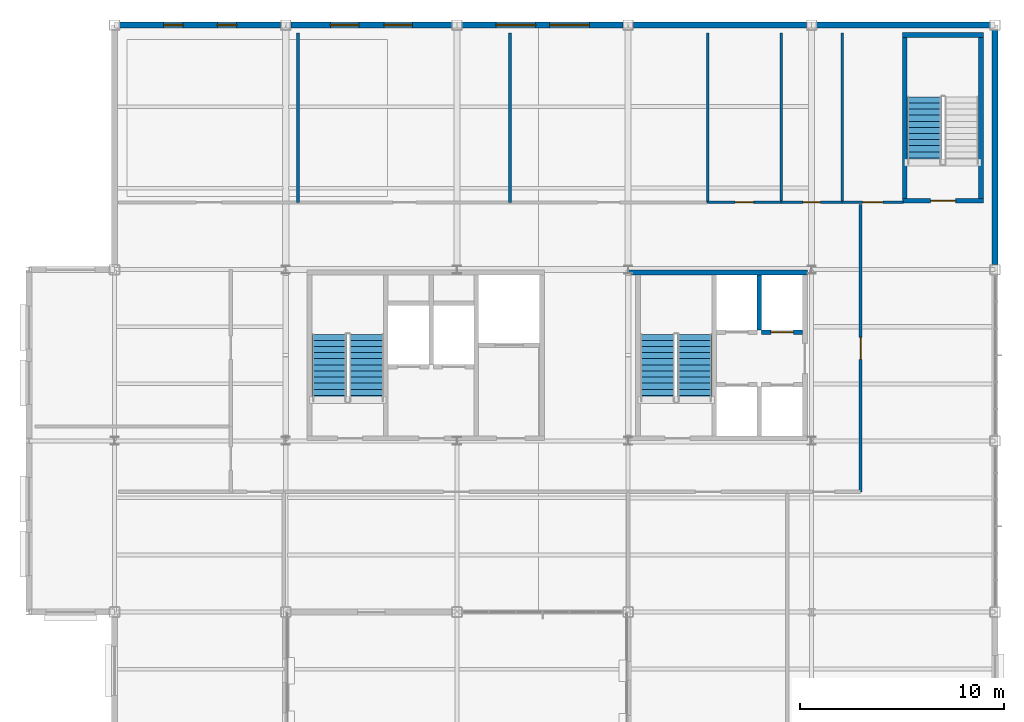
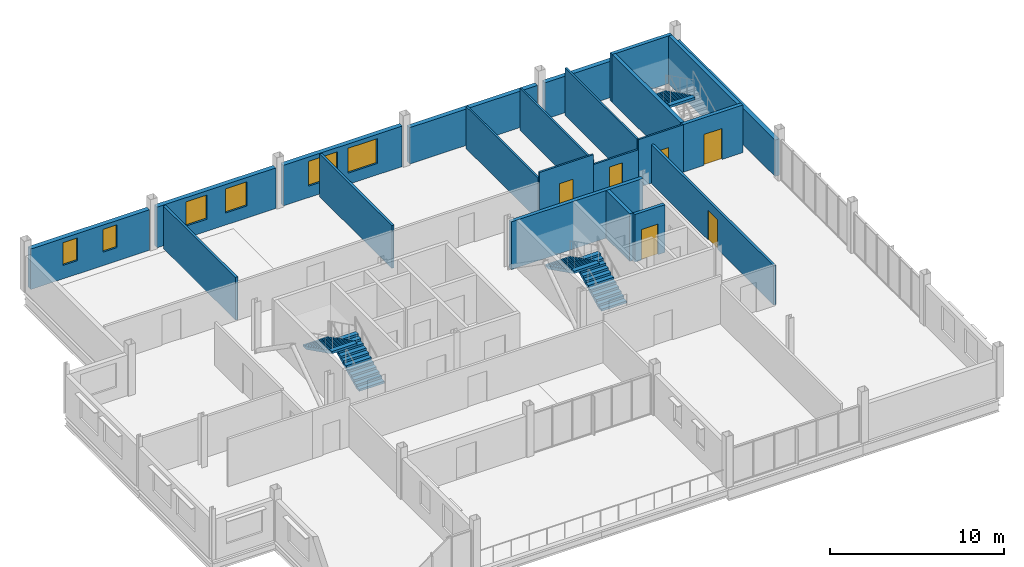
# One storey, part 15 of 20: 22 walls, 6 doors, 6 windows, 5 stair flights, 12 openings, 3 elements without a shape of their own.
"""IFC4 building model written with IfcOpenShell, lengths in metres."""

import ifcopenshell
import ifcopenshell.guid

model = None  # the IFC model being written
_history = None  # IfcOwnerHistory: only IFC2X3 demands one
_inside = {}  # id of a spatial element -> (the spatial element, [elements in it])
_under = {}  # id of a project, library or spatial element -> (it, [spatial elements below it])
_declared = {}  # id of a project -> (the project, [libraries it declares])
_typed = {}  # id of a type object -> (the type object, [elements of that type])
_made_of = {}  # id of a material, layer set ... -> (it, [elements and type objects made of it])


def new_model(schema):
    """Start an empty IFC model of exactly this schema.

    Asked for "IFC4X3", IfcOpenShell would pick the latest addendum, in which some entities
    have other attributes; the version numbers below select the first issue.
    IFC2X3 requires an IfcOwnerHistory on every rooted entity: one is made here for all.
    """
    global model, _history
    if schema == "IFC4X3":
        model = ifcopenshell.file(schema_version=(4, 3, 0, 0))
    else:
        model = ifcopenshell.file(schema=schema)
    _inside.clear()
    _under.clear()
    _declared.clear()
    _typed.clear()
    _made_of.clear()
    _history = None
    if model.schema == "IFC2X3":
        org = make("IfcOrganization", Name="unknown")
        user = make(
            "IfcPersonAndOrganization",
            ThePerson=make("IfcPerson", FamilyName="unknown"),
            TheOrganization=org,
        )
        app = make(
            "IfcApplication",
            ApplicationDeveloper=org,
            Version="unknown",
            ApplicationFullName="unknown",
            ApplicationIdentifier="unknown",
        )
        _history = make(
            "IfcOwnerHistory",
            OwningUser=user,
            OwningApplication=app,
            ChangeAction="ADDED",
            CreationDate=0,
        )
    return model


def make(cls, **values):
    """One entity of the class cls with the attributes given. An attribute that is None is left unset."""
    return model.create_entity(
        cls, **{name: value for name, value in values.items() if value is not None}
    )


def rooted(cls, **values):
    """An entity with a GlobalId (a new one), such as an element, a storey or a relation."""
    return make(cls, GlobalId=ifcopenshell.guid.new(), OwnerHistory=_history, **values)


def si_unit(unit_type, name, prefix=None):
    """IfcSIUnit, for example si_unit("LENGTHUNIT", "METRE", prefix="MILLI")."""
    return make("IfcSIUnit", UnitType=unit_type, Prefix=prefix, Name=name)


def assignment(units):
    """IfcUnitAssignment: the units of a project."""
    return None if units is None else make("IfcUnitAssignment", Units=units)


def point(xyz):
    """IfcCartesianPoint."""
    return None if xyz is None else make("IfcCartesianPoint", Coordinates=xyz)


def direction(xyz):
    """IfcDirection."""
    return None if xyz is None else make("IfcDirection", DirectionRatios=xyz)


def frame(location, z_axis=None, x_axis=None):
    """IfcAxis2Placement3D, a coordinate frame: its origin and axes. An axis left out is left unset."""
    return make(
        "IfcAxis2Placement3D",
        Location=point(location),
        Axis=direction(z_axis),
        RefDirection=direction(x_axis),
    )


def frame_2d(location, x_axis=None):
    """IfcAxis2Placement2D, a coordinate frame in the plane: its origin and x axis."""
    return make(
        "IfcAxis2Placement2D", Location=point(location), RefDirection=direction(x_axis)
    )


def origin():
    """The frame at (0, 0, 0) with its axes left unset."""
    return frame((0.0, 0.0, 0.0))


def place(relative_to, where):
    """IfcLocalPlacement: puts the frame where relative to a parent placement (None: the world)."""
    return make(
        "IfcLocalPlacement", PlacementRelTo=relative_to, RelativePlacement=where
    )


def context(
    kind, dimensions, precision=None, world=None, true_north=None, identifier=None
):
    """IfcGeometricRepresentationContext, for example the 3D "Model" context."""
    return make(
        "IfcGeometricRepresentationContext",
        ContextIdentifier=identifier,
        ContextType=kind,
        CoordinateSpaceDimension=dimensions,
        Precision=precision,
        WorldCoordinateSystem=world,
        TrueNorth=true_north,
    )


def subcontext(parent, identifier, kind, view, scale=None):
    """IfcGeometricRepresentationSubContext, for example "Body" below "Model"."""
    return make(
        "IfcGeometricRepresentationSubContext",
        ContextIdentifier=identifier,
        ContextType=kind,
        ParentContext=parent,
        TargetScale=scale,
        TargetView=view,
    )


def project(units=None, contexts=None):
    """IfcProject with its units and contexts."""
    return rooted(
        "IfcProject",
        Name="project",
        RepresentationContexts=contexts,
        UnitsInContext=assignment(units),
    )


def spatial(cls, under=None, at=None, **own):
    """A site, building, storey or space (cls), placed at a placement, below another one or the project."""
    s = rooted(cls, ObjectPlacement=at, **own)
    if under is not None:
        _under.setdefault(under.id(), (under, []))[1].append(s)
    return s


def polyline(points):
    """IfcPolyline through the points."""
    return make("IfcPolyline", Points=[point(p) for p in points])


def profile(cls, at=None, kind="AREA", **sizes):
    """A parametric profile (cls). Its sizes go by their IFC names, for example OverallWidth=200.0."""
    return make(cls, ProfileType=kind, Position=at, **sizes)


def rectangle(**sizes):
    """IfcRectangleProfileDef."""
    return profile("IfcRectangleProfileDef", **sizes)


def outline(outer, holes=None, kind="AREA"):
    """IfcArbitraryClosedProfileDef: a profile drawn as a closed curve; with holes, ...WithVoids."""
    if holes is None:
        return make("IfcArbitraryClosedProfileDef", ProfileType=kind, OuterCurve=outer)
    return make(
        "IfcArbitraryProfileDefWithVoids",
        ProfileType=kind,
        OuterCurve=outer,
        InnerCurves=holes,
    )


def extrude(swept, where, along, depth):
    """IfcExtrudedAreaSolid: the profile swept, set in the frame where, extruded along a direction by depth."""
    return make(
        "IfcExtrudedAreaSolid",
        SweptArea=swept,
        Position=where,
        ExtrudedDirection=direction(along),
        Depth=depth,
    )


def shape(context_of_items, identifier, shape_type, items):
    """IfcShapeRepresentation: the items that make up one representation, for example the "Body"."""
    return make(
        "IfcShapeRepresentation",
        ContextOfItems=context_of_items,
        RepresentationIdentifier=identifier,
        RepresentationType=shape_type,
        Items=items,
    )


def material(Name=None, Category=None):
    """IfcMaterial."""
    return make("IfcMaterial", Name=Name, Category=Category)


def layer(
    of_material, thickness, ventilated=None, Name=None, Category=None, Priority=None
):
    """IfcMaterialLayer: one layer of a wall or slab, of a material (None: an air gap)."""
    return make(
        "IfcMaterialLayer",
        Material=of_material,
        LayerThickness=thickness,
        IsVentilated=ventilated,
        Name=Name,
        Category=Category,
        Priority=Priority,
    )


def layer_set(layers, Name=None):
    """IfcMaterialLayerSet."""
    return make("IfcMaterialLayerSet", MaterialLayers=layers, LayerSetName=Name)


def made_of(thing, what):
    """Note that an element or type object is made of a material, layer set ...; save() writes the relation."""
    if what is not None:
        _made_of.setdefault(what.id(), (what, []))[1].append(thing)
    return thing


def type_object(cls, material=None, **own):
    """A type object (cls), such as IfcWallType, which elements share."""
    return made_of(rooted(cls, **own), material)


def element(
    cls,
    number,
    at=None,
    inside=None,
    cuts=None,
    type_object=None,
    material=None,
    context=None,
    identifier="Body",
    shape_type=None,
    held_by="IfcProductDefinitionShape",
    body=None,
    shapes=None,
    **own,
):
    """One element of the class cls, such as IfcWall. Its Tag is "e" and its number.

    at: its placement. inside: the storey or other place that contains it. cuts: it is an
    opening in that element (IfcRelVoidsElement). A single representation is given by context,
    identifier, shape_type and body (its items); several are given by shapes. held_by: the class
    of the entity that holds the representations. save() writes the other relations.
    """
    e = rooted(cls, Tag="e%d" % number, ObjectPlacement=at, **own)
    if body is not None:
        shapes = [shape(context, identifier, shape_type, body)]
    if shapes is not None:
        e.Representation = make(held_by, Representations=shapes)
    if inside is not None:
        _inside.setdefault(inside.id(), (inside, []))[1].append(e)
    if cuts is not None:
        rooted(
            "IfcRelVoidsElement", RelatingBuildingElement=cuts, RelatedOpeningElement=e
        )
    if type_object is not None:
        _typed.setdefault(type_object.id(), (type_object, []))[1].append(e)
    return made_of(e, material)


def fill(opening, filler):
    """IfcRelFillsElement: the door or window that sits in an opening."""
    return rooted(
        "IfcRelFillsElement",
        RelatingOpeningElement=opening,
        RelatedBuildingElement=filler,
    )


def aggregate(whole, parts):
    """IfcRelAggregates: a whole, such as a stair, and the parts it consists of."""
    return rooted("IfcRelAggregates", RelatingObject=whole, RelatedObjects=parts)


def save(model, path):
    """Write the relations noted so far, then the file.

    IfcRelAggregates (storeys below a building ...), IfcRelContainedInSpatialStructure (elements
    in a storey), IfcRelDefinesByType, IfcRelAssociatesMaterial and IfcRelDeclares: one each for
    every whole, place, type object, material and project.
    """
    for whole, parts in _under.values():
        aggregate(whole, parts)
    for where, things in _inside.values():
        rooted(
            "IfcRelContainedInSpatialStructure",
            RelatedElements=things,
            RelatingStructure=where,
        )
    for kind, things in _typed.values():
        rooted("IfcRelDefinesByType", RelatedObjects=things, RelatingType=kind)
    for what, things in _made_of.values():
        rooted("IfcRelAssociatesMaterial", RelatedObjects=things, RelatingMaterial=what)
    for by, libraries in _declared.values():
        rooted("IfcRelDeclares", RelatingContext=by, RelatedDefinitions=libraries)
    model.write(path)


model = new_model("IFC4")

# Units and contexts
model_context = context("Model", 3, precision=1e-05, world=origin(), true_north=direction((0.0, 1.0)))
body_context = subcontext(model_context, "Body", "Model", "MODEL_VIEW")
ifc_project = project(units=[si_unit("LENGTHUNIT", "METRE"), si_unit("AREAUNIT", "SQUARE_METRE"), si_unit("VOLUMEUNIT", "CUBIC_METRE"), si_unit("PLANEANGLEUNIT", "RADIAN"), si_unit("MASSUNIT", "GRAM", prefix="KILO")], contexts=[model_context])

# Site, building, storey
site_placement = place(None, origin())
site = spatial("IfcSite", under=ifc_project, at=site_placement, CompositionType="ELEMENT")
building_placement = place(site_placement, origin())
building = spatial("IfcBuilding", under=site, at=building_placement, Name="Yukiwa Park Conservatory and Herbarium", CompositionType="ELEMENT")
storey_placement = place(building_placement, frame((0.0, 0.0, 28.199951171875)))
storey = spatial("IfcBuildingStorey", under=building, at=storey_placement, Name="L07", CompositionType="ELEMENT", Elevation=28.199951171875)

# Wall
ifc_material_1 = material(Name="Concrete C40", Category="concrete")
ifc_layer_1 = layer(ifc_material_1, 0.219970703125)
ifc_layer_set_1 = layer_set([ifc_layer_1], Name="Concrete C40")
wall_type_1 = type_object("IfcWallType", Name="WL-CORE-RC220", PredefinedType="SHEAR", material=ifc_layer_set_1)
wall_1_placement = place(storey_placement, frame((156.43994140625, 100.25, 0.0), z_axis=(0.0, 0.0, 1.0), x_axis=(0.0, 1.0, 0.0)))
element("IfcWall", 1, at=wall_1_placement, inside=storey, type_object=wall_type_1, Name="L07 core shear wall 487", PredefinedType="SHEAR", context=body_context, shape_type="SweptSolid", body=[
    extrude(rectangle(XDim=2.699951171875, YDim=0.219970703125, at=frame_2d((1.35009765625, 0.0))), origin(), (0.0, 0.0, 1.0), 3.35205078125),
])

# Wall, opening, door
wall_2_placement = place(storey_placement, frame((156.550048828125, 100.139892578125, 0.0), z_axis=(0.0, 0.0, 1.0), x_axis=(1.0, 0.0, 0.0)))
wall_2 = element("IfcWall", 2, at=wall_2_placement, inside=storey, type_object=wall_type_1, Name="L07 core shear wall 489", PredefinedType="SHEAR", context=body_context, shape_type="SweptSolid", body=[
    extrude(rectangle(XDim=2.0, YDim=0.219970703125, at=frame_2d((1.0, 0.0))), origin(), (0.0, 0.0, 1.0), 3.35205078125),
])
opening_1_placement = place(wall_2_placement, frame((0.449951171875, 0.0, 0.0)))
opening_1 = element("IfcOpeningElement", 3, at=opening_1_placement, cuts=wall_2, Name="Opening LD-01", PredefinedType="OPENING", context=body_context, shape_type="SweptSolid", body=[
    extrude(rectangle(XDim=1.10009765625, YDim=2.14990234375, at=frame_2d((0.550048828125, 1.074951171875))), frame((0.0, 0.1201171875, 0.0), z_axis=(0.0, -1.0, 0.0), x_axis=(1.0, 0.0, 0.0)), (0.0, 0.0, 1.0), 0.239990234375),
])
ifc_material_2 = material(Name="Steel Q235B", Category="steel")
door_type_1 = type_object("IfcDoorType", Name="DR-LIFT-LD1100", OperationType="SLIDING_TO_LEFT", PredefinedType="DOOR", material=ifc_material_2)
door_1_placement = place(opening_1_placement, origin())
door_1 = element("IfcDoor", 4, at=door_1_placement, inside=storey, type_object=door_type_1, Name="L07 Passenger Lift LP2 sliding landing door", OperationType="SLIDING_TO_LEFT", OverallHeight=2.14990234375, OverallWidth=1.10009765625, PredefinedType="DOOR", context=body_context, shape_type="SweptSolid", body=[
    extrude(rectangle(XDim=1.10009765625, YDim=2.14990234375, at=frame_2d((0.550048828125, 1.074951171875))), frame((0.0, 0.02490234375, 0.0), z_axis=(0.0, -1.0, 0.0), x_axis=(1.0, 0.0, 0.0)), (0.0, 0.0, 1.0), 0.050048828125),
])
fill(opening_1, door_1)

# Wall
ifc_material_3 = material(Name="Concrete C50", Category="concrete")
ifc_layer_2 = layer(ifc_material_3, 0.239990234375)
ifc_layer_set_2 = layer_set([ifc_layer_2], Name="Concrete C50")
wall_type_2 = type_object("IfcWallType", Name="WL-CORE-RC240", PredefinedType="SHEAR", material=ifc_layer_set_2)
wall_3_placement = place(storey_placement, frame((150.02001953125, 103.070068359375, 0.0), z_axis=(0.0, 0.0, 1.0), x_axis=(1.0, 0.0, 0.0)))
element("IfcWall", 5, at=wall_3_placement, inside=storey, type_object=wall_type_2, Name="L07 core shear wall 483", PredefinedType="SHEAR", context=body_context, shape_type="SweptSolid", body=[
    extrude(rectangle(XDim=8.77001953125, YDim=0.239990234375, at=frame_2d((4.385009765625, 0.0))), origin(), (0.0, 0.0, 1.0), 3.35205078125),
])

# Wall, opening, door
wall_4_placement = place(storey_placement, frame((163.449951171875, 106.580078125, 0.0), z_axis=(0.0, 0.0, 1.0), x_axis=(1.0, 0.0, 0.0)))
wall_4 = element("IfcWall", 6, at=wall_4_placement, inside=storey, type_object=wall_type_2, Name="L07 core shear wall 493", PredefinedType="SHEAR", context=body_context, shape_type="SweptSolid", body=[
    extrude(rectangle(XDim=3.989990234375, YDim=0.239990234375, at=frame_2d((1.9951171875, 0.0))), origin(), (0.0, 0.0, 1.0), 3.35205078125),
])
opening_2_placement = place(wall_4_placement, frame((1.39501953125, 0.0, 0.0)))
opening_2 = element("IfcOpeningElement", 7, at=opening_2_placement, cuts=wall_4, Name="Opening SD-01", PredefinedType="OPENING", context=body_context, shape_type="SweptSolid", body=[
    extrude(rectangle(XDim=1.219970703125, YDim=2.179931640625, at=frame_2d((0.60986328125, 1.08984375))), frame((0.0, 0.1298828125, 0.0), z_axis=(0.0, -1.0, 0.0), x_axis=(1.0, 0.0, 0.0)), (0.0, 0.0, 1.0), 0.260009765625),
])
ifc_material_4 = material(Name="Steel Q235B", Category="steel")
door_type_2 = type_object("IfcDoorType", Name="DR-STAIR-FD90-1200", OperationType="SINGLE_SWING_LEFT", PredefinedType="DOOR", material=ifc_material_4)
door_2_placement = place(opening_2_placement, origin())
door_2 = element("IfcDoor", 8, at=door_2_placement, inside=storey, type_object=door_type_2, Name="L07 Stairwell ST-T3 fire door", OperationType="SINGLE_SWING_LEFT", OverallHeight=2.179931640625, OverallWidth=1.219970703125, PredefinedType="DOOR", context=body_context, shape_type="SweptSolid", body=[
    extrude(rectangle(XDim=1.219970703125, YDim=2.179931640625, at=frame_2d((0.60986328125, 1.08984375))), frame((0.0, 0.02490234375, 0.0), z_axis=(0.0, -1.0, 0.0), x_axis=(1.0, 0.0, 0.0)), (0.0, 0.0, 1.0), 0.050048828125),
])
fill(opening_2, door_2)

# Walls
wall_5_placement = place(storey_placement, frame((163.449951171875, 114.719970703125, 0.0), z_axis=(0.0, 0.0, 1.0), x_axis=(1.0, 0.0, 0.0)))
element("IfcWall", 9, at=wall_5_placement, inside=storey, type_object=wall_type_2, Name="L07 core shear wall 494", PredefinedType="SHEAR", context=body_context, shape_type="SweptSolid", body=[
    extrude(rectangle(XDim=3.989990234375, YDim=0.239990234375, at=frame_2d((1.9951171875, 0.0))), origin(), (0.0, 0.0, 1.0), 3.35205078125),
])
for number, where, z_axis, x_axis, name in (
    (10, (163.570068359375, 106.699951171875, 0.0), (0.0, 0.0, 1.0), (0.0, 1.0, 0.0), "L07 core shear wall 495"),
    (11, (167.320068359375, 106.699951171875, 0.0), (0.0, 0.0, 1.0), (0.0, 1.0, 0.0), "L07 core shear wall 496"),
):
    element("IfcWall", number, at=place(storey_placement, frame(where, z_axis=z_axis, x_axis=x_axis)), inside=storey, type_object=wall_type_2, Name=name, PredefinedType="SHEAR", context=body_context, shape_type="SweptSolid", body=[
        extrude(rectangle(XDim=7.900146484375, YDim=0.239990234375, at=frame_2d((3.9501953125, 0.0))), origin(), (0.0, 0.0, 1.0), 3.35205078125),
    ])
ifc_material_5 = material(Name="Pale Granite Cladding", Category="masonry")
ifc_layer_3 = layer(ifc_material_5, 0.300048828125)
ifc_layer_set_3 = layer_set([ifc_layer_3], Name="Pale Granite Cladding")
wall_type_3 = type_object("IfcWallType", Name="WL-EXT-GRAN-300", PredefinedType="SOLIDWALL", material=ifc_layer_set_3)
wall_6_placement = place(storey_placement, frame((168.0, 103.449951171875, 0.0), z_axis=(0.0, 0.0, 1.0), x_axis=(0.0, 1.0, 0.0)))
element("IfcWall", 12, at=wall_6_placement, inside=storey, type_object=wall_type_3, Name="L07 exterior envelope wall 309", PredefinedType="SOLIDWALL", context=body_context, shape_type="SweptSolid", body=[
    extrude(rectangle(XDim=11.5, YDim=0.300048828125, at=frame_2d((5.75, 0.0))), origin(), (0.0, 0.0, 1.0), 2.56005859375),
])
for number, where, z_axis, x_axis, name in (
    (13, (167.75, 115.199951171875, 0.0), (0.0, 0.0, 1.0), (-1.0, 0.0, 0.0), "L07 exterior envelope wall 310"),
    (14, (158.75, 115.199951171875, 0.0), (0.0, 0.0, 1.0), (-1.0, 0.0, 0.0), "L07 exterior envelope wall 311"),
):
    element("IfcWall", number, at=place(storey_placement, frame(where, z_axis=z_axis, x_axis=x_axis)), inside=storey, type_object=wall_type_3, Name=name, PredefinedType="SOLIDWALL", context=body_context, shape_type="SweptSolid", body=[
        extrude(rectangle(XDim=8.5, YDim=0.300048828125, at=frame_2d((4.25, 0.0))), origin(), (0.0, 0.0, 1.0), 2.56005859375),
    ])

# Wall, openings, windows
wall_7_placement = place(storey_placement, frame((149.75, 115.199951171875, 0.0), z_axis=(0.0, 0.0, 1.0), x_axis=(-1.0, 0.0, 0.0)))
wall_7 = element("IfcWall", 15, at=wall_7_placement, inside=storey, type_object=wall_type_3, Name="L07 exterior envelope wall 312", PredefinedType="SOLIDWALL", context=body_context, shape_type="SweptSolid", body=[
    extrude(rectangle(XDim=7.89990234375, YDim=0.300048828125, at=frame_2d((3.949951171875, 0.0))), origin(), (0.0, 0.0, 1.0), 2.85205078125),
])
opening_3_placement = place(wall_7_placement, frame((1.657958984375, 0.0, 0.800048828125)))
opening_3 = element("IfcOpeningElement", 16, at=opening_3_placement, cuts=wall_7, Name="Opening W-25", PredefinedType="OPENING", context=body_context, shape_type="SweptSolid", body=[
    extrude(rectangle(XDim=1.949951171875, YDim=1.75, at=frame_2d((0.97509765625, 0.875))), frame((0.0, 0.16015625, 0.0), z_axis=(0.0, -1.0, 0.0), x_axis=(1.0, 0.0, 0.0)), (0.0, 0.0, 1.0), 0.320068359375),
])
opening_4_placement = place(wall_7_placement, frame((4.2919921875, 0.0, 0.800048828125)))
opening_4 = element("IfcOpeningElement", 17, at=opening_4_placement, cuts=wall_7, Name="Opening W-25", PredefinedType="OPENING", context=body_context, shape_type="SweptSolid", body=[
    extrude(rectangle(XDim=1.949951171875, YDim=1.75, at=frame_2d((0.97509765625, 0.875))), frame((0.0, 0.16015625, 0.0), z_axis=(0.0, -1.0, 0.0), x_axis=(1.0, 0.0, 0.0)), (0.0, 0.0, 1.0), 0.320068359375),
])
ifc_material_6 = material(Name="Triple Low-E Insulated Glass", Category="glass")
window_type_1 = type_object("IfcWindowType", Name="WN-TW-1950X2150", PartitioningType="SINGLE_PANEL", PredefinedType="WINDOW", material=ifc_material_6)
window_1_placement = place(opening_3_placement, origin())
window_1 = element("IfcWindow", 18, at=window_1_placement, inside=storey, type_object=window_type_1, Name="L07 deep-reveal triple-glazed window 242", OverallHeight=1.75, OverallWidth=1.949951171875, PartitioningType="SINGLE_PANEL", PredefinedType="WINDOW", context=body_context, shape_type="SweptSolid", body=[
    extrude(rectangle(XDim=1.949951171875, YDim=1.75, at=frame_2d((0.97509765625, 0.875))), frame((0.0, 0.030029296875, 0.0), z_axis=(0.0, -1.0, 0.0), x_axis=(1.0, 0.0, 0.0)), (0.0, 0.0, 1.0), 0.06005859375),
])
fill(opening_3, window_1)
window_2_placement = place(opening_4_placement, origin())
window_2 = element("IfcWindow", 19, at=window_2_placement, inside=storey, type_object=window_type_1, Name="L07 deep-reveal triple-glazed window 243", OverallHeight=1.75, OverallWidth=1.949951171875, PartitioningType="SINGLE_PANEL", PredefinedType="WINDOW", context=body_context, shape_type="SweptSolid", body=[
    extrude(rectangle(XDim=1.949951171875, YDim=1.75, at=frame_2d((0.97509765625, 0.875))), frame((0.0, 0.030029296875, 0.0), z_axis=(0.0, -1.0, 0.0), x_axis=(1.0, 0.0, 0.0)), (0.0, 0.0, 1.0), 0.06005859375),
])
fill(opening_4, window_2)

wall_8_placement = place(storey_placement, frame((141.35009765625, 115.199951171875, 0.0), z_axis=(0.0, 0.0, 1.0), x_axis=(-1.0, 0.0, 0.0)))
wall_8 = element("IfcWall", 20, at=wall_8_placement, inside=storey, type_object=wall_type_3, Name="L07 exterior envelope wall 313", PredefinedType="SOLIDWALL", context=body_context, shape_type="SweptSolid", body=[
    extrude(rectangle(XDim=7.900146484375, YDim=0.300048828125, at=frame_2d((3.9501953125, 0.0))), origin(), (0.0, 0.0, 1.0), 2.85205078125),
])
opening_5_placement = place(wall_8_placement, frame((1.93310546875, 0.0, 0.85009765625)))
opening_5 = element("IfcOpeningElement", 21, at=opening_5_placement, cuts=wall_8, Name="Opening W-23", PredefinedType="OPENING", context=body_context, shape_type="SweptSolid", body=[
    extrude(rectangle(XDim=1.39990234375, YDim=1.699951171875, at=frame_2d((0.699951171875, 0.85009765625))), frame((0.0, 0.16015625, 0.0), z_axis=(0.0, -1.0, 0.0), x_axis=(1.0, 0.0, 0.0)), (0.0, 0.0, 1.0), 0.320068359375),
])
opening_6_placement = place(wall_8_placement, frame((4.56689453125, 0.0, 0.85009765625)))
opening_6 = element("IfcOpeningElement", 22, at=opening_6_placement, cuts=wall_8, Name="Opening W-23", PredefinedType="OPENING", context=body_context, shape_type="SweptSolid", body=[
    extrude(rectangle(XDim=1.39990234375, YDim=1.699951171875, at=frame_2d((0.699951171875, 0.85009765625))), frame((0.0, 0.16015625, 0.0), z_axis=(0.0, -1.0, 0.0), x_axis=(1.0, 0.0, 0.0)), (0.0, 0.0, 1.0), 0.320068359375),
])
ifc_material_7 = material(Name="Triple Low-E Insulated Glass", Category="glass")
window_type_2 = type_object("IfcWindowType", Name="WN-TW-1400X2050", PartitioningType="SINGLE_PANEL", PredefinedType="WINDOW", material=ifc_material_7)
window_3_placement = place(opening_5_placement, origin())
window_3 = element("IfcWindow", 23, at=window_3_placement, inside=storey, type_object=window_type_2, Name="L07 deep-reveal triple-glazed window 244", OverallHeight=1.699951171875, OverallWidth=1.39990234375, PartitioningType="SINGLE_PANEL", PredefinedType="WINDOW", context=body_context, shape_type="SweptSolid", body=[
    extrude(rectangle(XDim=1.39990234375, YDim=1.699951171875, at=frame_2d((0.699951171875, 0.85009765625))), frame((0.0, 0.030029296875, 0.0), z_axis=(0.0, -1.0, 0.0), x_axis=(1.0, 0.0, 0.0)), (0.0, 0.0, 1.0), 0.06005859375),
])
fill(opening_5, window_3)
window_4_placement = place(opening_6_placement, origin())
window_4 = element("IfcWindow", 24, at=window_4_placement, inside=storey, type_object=window_type_2, Name="L07 deep-reveal triple-glazed window 245", OverallHeight=1.699951171875, OverallWidth=1.39990234375, PartitioningType="SINGLE_PANEL", PredefinedType="WINDOW", context=body_context, shape_type="SweptSolid", body=[
    extrude(rectangle(XDim=1.39990234375, YDim=1.699951171875, at=frame_2d((0.699951171875, 0.85009765625))), frame((0.0, 0.030029296875, 0.0), z_axis=(0.0, -1.0, 0.0), x_axis=(1.0, 0.0, 0.0)), (0.0, 0.0, 1.0), 0.06005859375),
])
fill(opening_6, window_4)

wall_9_placement = place(storey_placement, frame((132.949951171875, 115.199951171875, 0.0), z_axis=(0.0, 0.0, 1.0), x_axis=(-1.0, 0.0, 0.0)))
wall_9 = element("IfcWall", 25, at=wall_9_placement, inside=storey, type_object=wall_type_3, Name="L07 exterior envelope wall 314", PredefinedType="SOLIDWALL", context=body_context, shape_type="SweptSolid", body=[
    extrude(rectangle(XDim=7.89990234375, YDim=0.300048828125, at=frame_2d((3.949951171875, 0.0))), origin(), (0.0, 0.0, 1.0), 2.85205078125),
])
opening_7_placement = place(wall_9_placement, frame((2.157958984375, 0.0, 0.949951171875)))
opening_7 = element("IfcOpeningElement", 26, at=opening_7_placement, cuts=wall_9, Name="Opening W-21", PredefinedType="OPENING", context=body_context, shape_type="SweptSolid", body=[
    extrude(rectangle(XDim=0.949951171875, YDim=1.60009765625, at=frame_2d((0.47509765625, 0.800048828125))), frame((0.0, 0.16015625, 0.0), z_axis=(0.0, -1.0, 0.0), x_axis=(1.0, 0.0, 0.0)), (0.0, 0.0, 1.0), 0.320068359375),
])
opening_8_placement = place(wall_9_placement, frame((4.7919921875, 0.0, 0.949951171875)))
opening_8 = element("IfcOpeningElement", 27, at=opening_8_placement, cuts=wall_9, Name="Opening W-21", PredefinedType="OPENING", context=body_context, shape_type="SweptSolid", body=[
    extrude(rectangle(XDim=0.949951171875, YDim=1.60009765625, at=frame_2d((0.47509765625, 0.800048828125))), frame((0.0, 0.16015625, 0.0), z_axis=(0.0, -1.0, 0.0), x_axis=(1.0, 0.0, 0.0)), (0.0, 0.0, 1.0), 0.320068359375),
])
ifc_material_8 = material(Name="Triple Low-E Insulated Glass", Category="glass")
window_type_3 = type_object("IfcWindowType", Name="WN-TW-0950X1750", PartitioningType="SINGLE_PANEL", PredefinedType="WINDOW", material=ifc_material_8)
window_5_placement = place(opening_7_placement, origin())
window_5 = element("IfcWindow", 28, at=window_5_placement, inside=storey, type_object=window_type_3, Name="L07 deep-reveal triple-glazed window 246", OverallHeight=1.60009765625, OverallWidth=0.949951171875, PartitioningType="SINGLE_PANEL", PredefinedType="WINDOW", context=body_context, shape_type="SweptSolid", body=[
    extrude(rectangle(XDim=0.949951171875, YDim=1.60009765625, at=frame_2d((0.47509765625, 0.800048828125))), frame((0.0, 0.030029296875, 0.0), z_axis=(0.0, -1.0, 0.0), x_axis=(1.0, 0.0, 0.0)), (0.0, 0.0, 1.0), 0.06005859375),
])
fill(opening_7, window_5)
window_6_placement = place(opening_8_placement, origin())
window_6 = element("IfcWindow", 29, at=window_6_placement, inside=storey, type_object=window_type_3, Name="L07 deep-reveal triple-glazed window 247", OverallHeight=1.60009765625, OverallWidth=0.949951171875, PartitioningType="SINGLE_PANEL", PredefinedType="WINDOW", context=body_context, shape_type="SweptSolid", body=[
    extrude(rectangle(XDim=0.949951171875, YDim=1.60009765625, at=frame_2d((0.47509765625, 0.800048828125))), frame((0.0, 0.030029296875, 0.0), z_axis=(0.0, -1.0, 0.0), x_axis=(1.0, 0.0, 0.0)), (0.0, 0.0, 1.0), 0.06005859375),
])
fill(opening_8, window_6)

# Wall, opening, door
ifc_material_9 = material(Name="Gypsum Board Partition", Category="gypsum")
ifc_layer_4 = layer(ifc_material_9, 0.159912109375)
ifc_layer_set_4 = layer_set([ifc_layer_4], Name="Gypsum Board Partition")
wall_type_4 = type_object("IfcWallType", Name="WL-PART-GYP-160", PredefinedType="PARTITIONING", material=ifc_layer_set_4)
wall_10_placement = place(storey_placement, frame((161.39990234375, 92.300048828125, 0.0), z_axis=(0.0, 0.0, 1.0), x_axis=(0.0, 1.0, 0.0)))
wall_10 = element("IfcWall", 30, at=wall_10_placement, inside=storey, type_object=wall_type_4, Name="L07 interior partition wall 503", PredefinedType="PARTITIONING", context=body_context, shape_type="SweptSolid", body=[
    extrude(rectangle(XDim=14.099853515625, YDim=0.159912109375, at=frame_2d((7.0498046875, 0.0))), origin(), (0.0, 0.0, 1.0), 2.751953125),
])
opening_9_placement = place(wall_10_placement, frame((6.5, 0.0, 0.0)))
opening_9 = element("IfcOpeningElement", 31, at=opening_9_placement, cuts=wall_10, Name="Opening ID-11", PredefinedType="OPENING", context=body_context, shape_type="SweptSolid", body=[
    extrude(rectangle(XDim=1.080078125, YDim=2.080078125, at=frame_2d((0.5400390625, 1.0400390625))), frame((0.0, 0.08984375, 0.0), z_axis=(0.0, -1.0, 0.0), x_axis=(1.0, 0.0, 0.0)), (0.0, 0.0, 1.0), 0.179931640625),
])
ifc_material_10 = material(Name="Charred Larch Cladding", Category="wood")
door_type_3 = type_object("IfcDoorType", Name="DR-INT-1100", OperationType="SINGLE_SWING_RIGHT", PredefinedType="DOOR", material=ifc_material_10)
door_3_placement = place(opening_9_placement, origin())
door_3 = element("IfcDoor", 32, at=door_3_placement, inside=storey, type_object=door_type_3, Name="L07 L07 east room door", OperationType="SINGLE_SWING_RIGHT", OverallHeight=2.080078125, OverallWidth=1.080078125, PredefinedType="DOOR", context=body_context, shape_type="SweptSolid", body=[
    extrude(rectangle(XDim=1.080078125, YDim=2.080078125, at=frame_2d((0.5400390625, 1.0400390625))), frame((0.0, 0.02490234375, 0.0), z_axis=(0.0, -1.0, 0.0), x_axis=(1.0, 0.0, 0.0)), (0.0, 0.0, 1.0), 0.050048828125),
])
fill(opening_9, door_3)

# Walls
for number, where, z_axis, x_axis, name in (
    (33, (133.800048828125, 106.5, 0.0), (0.0, 0.0, 1.0), (0.0, 1.0, 0.0), "L07 interior partition wall 518"),
    (34, (144.199951171875, 106.5, 0.0), (0.0, 0.0, 1.0), (0.0, 1.0, 0.0), "L07 interior partition wall 519"),
):
    element("IfcWall", number, at=place(storey_placement, frame(where, z_axis=z_axis, x_axis=x_axis)), inside=storey, type_object=wall_type_4, Name=name, PredefinedType="PARTITIONING", context=body_context, shape_type="SweptSolid", body=[
        extrude(rectangle(XDim=8.300048828125, YDim=0.159912109375, at=frame_2d((4.14990234375, 0.0))), origin(), (0.0, 0.0, 1.0), 3.006103515625),
    ])

# Wall, opening, door
ifc_material_11 = material(Name="Gypsum Board Partition", Category="gypsum")
ifc_layer_5 = layer(ifc_material_11, 0.1201171875)
ifc_layer_set_5 = layer_set([ifc_layer_5], Name="Gypsum Board Partition")
wall_type_5 = type_object("IfcWallType", Name="WL-PART-WET-150", PredefinedType="PARTITIONING", material=ifc_layer_set_5)
wall_11_placement = place(storey_placement, frame((153.89990234375, 106.5, 0.0), z_axis=(0.0, 0.0, 1.0), x_axis=(1.0, 0.0, 0.0)))
wall_11 = element("IfcWall", 35, at=wall_11_placement, inside=storey, type_object=wall_type_5, Name="L07 interior partition wall 497", PredefinedType="PARTITIONING", context=body_context, shape_type="SweptSolid", body=[
    extrude(rectangle(XDim=3.60009765625, YDim=0.1201171875, at=frame_2d((1.800048828125, 0.0))), origin(), (0.0, 0.0, 1.0), 3.35205078125),
])
opening_10_placement = place(wall_11_placement, frame((1.35009765625, 0.0, 0.0)))
opening_10 = element("IfcOpeningElement", 36, at=opening_10_placement, cuts=wall_11, Name="Opening ID-09", PredefinedType="OPENING", context=body_context, shape_type="SweptSolid", body=[
    extrude(rectangle(XDim=0.89990234375, YDim=2.10009765625, at=frame_2d((0.449951171875, 1.050048828125))), frame((0.0, 0.070068359375, 0.0), z_axis=(0.0, -1.0, 0.0), x_axis=(1.0, 0.0, 0.0)), (0.0, 0.0, 1.0), 0.14013671875),
])
ifc_material_12 = material(Name="Charred Larch Cladding", Category="wood")
door_type_4 = type_object("IfcDoorType", Name="DR-INT-900", OperationType="SINGLE_SWING_LEFT", PredefinedType="DOOR", material=ifc_material_12)
door_4_placement = place(opening_10_placement, origin())
door_4 = element("IfcDoor", 37, at=door_4_placement, inside=storey, type_object=door_type_4, Name="L07 Public WC door", OperationType="SINGLE_SWING_LEFT", OverallHeight=2.10009765625, OverallWidth=0.89990234375, PredefinedType="DOOR", context=body_context, shape_type="SweptSolid", body=[
    extrude(rectangle(XDim=0.89990234375, YDim=2.10009765625, at=frame_2d((0.449951171875, 1.050048828125))), frame((0.0, 0.02490234375, 0.0), z_axis=(0.0, -1.0, 0.0), x_axis=(1.0, 0.0, 0.0)), (0.0, 0.0, 1.0), 0.050048828125),
])
fill(opening_10, door_4)

wall_12_placement = place(storey_placement, frame((157.5, 106.5, 0.0), z_axis=(0.0, 0.0, 1.0), x_axis=(1.0, 0.0, 0.0)))
wall_12 = element("IfcWall", 38, at=wall_12_placement, inside=storey, type_object=wall_type_5, Name="L07 interior partition wall 498", PredefinedType="PARTITIONING", context=body_context, shape_type="SweptSolid", body=[
    extrude(rectangle(XDim=3.0, YDim=0.1201171875, at=frame_2d((1.5, 0.0))), origin(), (0.0, 0.0, 1.0), 2.652099609375),
])
opening_11_placement = place(wall_12_placement, frame((1.074951171875, 0.0, 0.0)))
opening_11 = element("IfcOpeningElement", 39, at=opening_11_placement, cuts=wall_12, Name="Opening ID-85", PredefinedType="OPENING", context=body_context, shape_type="SweptSolid", body=[
    extrude(rectangle(XDim=0.85009765625, YDim=2.10009765625, at=frame_2d((0.425048828125, 1.050048828125))), frame((0.0, 0.070068359375, 0.0), z_axis=(0.0, -1.0, 0.0), x_axis=(1.0, 0.0, 0.0)), (0.0, 0.0, 1.0), 0.14013671875),
])
ifc_material_13 = material(Name="Charred Larch Cladding", Category="wood")
door_type_5 = type_object("IfcDoorType", Name="DR-INT-850", OperationType="SINGLE_SWING_RIGHT", PredefinedType="DOOR", material=ifc_material_13)
door_5_placement = place(opening_11_placement, origin())
door_5 = element("IfcDoor", 40, at=door_5_placement, inside=storey, type_object=door_type_5, Name="L07 Staff WC door", OperationType="SINGLE_SWING_RIGHT", OverallHeight=2.10009765625, OverallWidth=0.85009765625, PredefinedType="DOOR", context=body_context, shape_type="SweptSolid", body=[
    extrude(rectangle(XDim=0.85009765625, YDim=2.10009765625, at=frame_2d((0.425048828125, 1.050048828125))), frame((0.0, 0.02490234375, 0.0), z_axis=(0.0, -1.0, 0.0), x_axis=(1.0, 0.0, 0.0)), (0.0, 0.0, 1.0), 0.050048828125),
])
fill(opening_11, door_5)

wall_13_placement = place(storey_placement, frame((160.5, 106.5, 0.0), z_axis=(0.0, 0.0, 1.0), x_axis=(1.0, 0.0, 0.0)))
wall_13 = element("IfcWall", 41, at=wall_13_placement, inside=storey, type_object=wall_type_5, Name="L07 interior partition wall 499", PredefinedType="PARTITIONING", context=body_context, shape_type="SweptSolid", body=[
    extrude(rectangle(XDim=3.0, YDim=0.1201171875, at=frame_2d((1.5, 0.0))), origin(), (0.0, 0.0, 1.0), 3.35205078125),
])
opening_12_placement = place(wall_13_placement, frame((1.0, 0.0, 0.0)))
opening_12 = element("IfcOpeningElement", 42, at=opening_12_placement, cuts=wall_13, Name="Opening ID-10", PredefinedType="OPENING", context=body_context, shape_type="SweptSolid", body=[
    extrude(rectangle(XDim=1.0, YDim=2.10009765625, at=frame_2d((0.5, 1.050048828125))), frame((0.0, 0.070068359375, 0.0), z_axis=(0.0, -1.0, 0.0), x_axis=(1.0, 0.0, 0.0)), (0.0, 0.0, 1.0), 0.14013671875),
])
ifc_material_14 = material(Name="Charred Larch Cladding", Category="wood")
door_type_6 = type_object("IfcDoorType", Name="DR-ACC-1000", OperationType="SINGLE_SWING_LEFT", PredefinedType="DOOR", material=ifc_material_14)
door_6_placement = place(opening_12_placement, origin())
door_6 = element("IfcDoor", 43, at=door_6_placement, inside=storey, type_object=door_type_6, Name="L07 Accessible WC door", OperationType="SINGLE_SWING_LEFT", OverallHeight=2.10009765625, OverallWidth=1.0, PredefinedType="DOOR", context=body_context, shape_type="SweptSolid", body=[
    extrude(rectangle(XDim=1.0, YDim=2.10009765625, at=frame_2d((0.5, 1.050048828125))), frame((0.0, 0.02490234375, 0.0), z_axis=(0.0, -1.0, 0.0), x_axis=(1.0, 0.0, 0.0)), (0.0, 0.0, 1.0), 0.050048828125),
])
fill(opening_12, door_6)

# Walls
for number, where, z_axis, x_axis, name in (
    (44, (153.89990234375, 106.5, 0.0), (0.0, 0.0, 1.0), (0.0, 1.0, 0.0), "L07 interior partition wall 500"),
    (45, (157.5, 106.5, 0.0), (0.0, 0.0, 1.0), (0.0, 1.0, 0.0), "L07 interior partition wall 501"),
):
    element("IfcWall", number, at=place(storey_placement, frame(where, z_axis=z_axis, x_axis=x_axis)), inside=storey, type_object=wall_type_5, Name=name, PredefinedType="PARTITIONING", context=body_context, shape_type="SweptSolid", body=[
        extrude(rectangle(XDim=8.300048828125, YDim=0.1201171875, at=frame_2d((4.14990234375, 0.0))), origin(), (0.0, 0.0, 1.0), 2.9560546875),
    ])
wall_14_placement = place(storey_placement, frame((160.5, 106.5, 0.0), z_axis=(0.0, 0.0, 1.0), x_axis=(0.0, 1.0, 0.0)))
element("IfcWall", 46, at=wall_14_placement, inside=storey, type_object=wall_type_5, Name="L07 interior partition wall 502", PredefinedType="PARTITIONING", context=body_context, shape_type="SweptSolid", body=[
    extrude(rectangle(XDim=8.300048828125, YDim=0.1201171875, at=frame_2d((4.14990234375, 0.0))), origin(), (0.0, 0.0, 1.0), 3.35205078125),
])

# Stair, stair flights
ifc_material_15 = material(Name="Concrete C40", Category="concrete")
stair_type_1 = type_object("IfcStairType", Name="ST-DOGLEG-ST-T1", PredefinedType="HALF_TURN_STAIR", material=ifc_material_15)
stair_1_placement = place(storey_placement, origin())
stair_1 = element("IfcStair", 47, at=stair_1_placement, inside=storey, type_object=stair_type_1, Name="L07 Protected Smoke-Proof Stair ST-T1", PredefinedType="HALF_TURN_STAIR")
ifc_material_16 = material(Name="Concrete C40", Category="concrete")
stair_flight_type = type_object("IfcStairFlightType", Name="STF-RC-1680", PredefinedType="STRAIGHT", material=ifc_material_16)
stair_flight_1_placement = place(storey_placement, frame((137.159912109375, 96.72998046875, 0.0), z_axis=(0.0, 0.0, 1.0), x_axis=(0.0, 1.0, 0.0)))
stair_flight_1 = element("IfcStairFlight", 48, at=stair_flight_1_placement, type_object=stair_flight_type, Name="ST-T1 flight 1", NumberOfRisers=12, NumberOfTreads=11, PredefinedType="STRAIGHT", RiserHeight=0.15, TreadLength=0.3, context=body_context, shape_type="SweptSolid", body=[
    extrude(outline(polyline([(0.0, 0.0), (0.0, 0.14990234375), (0.300048828125, 0.14990234375), (0.300048828125, 0.300048828125), (0.60009765625, 0.300048828125), (0.60009765625, 0.449951171875), (0.89990234375, 0.449951171875), (0.89990234375, 0.60009765625), (1.199951171875, 0.60009765625), (1.199951171875, 0.75), (1.5, 0.75), (1.5, 0.89990234375), (1.800048828125, 0.89990234375), (1.800048828125, 1.050048828125), (2.10009765625, 1.050048828125), (2.10009765625, 1.199951171875), (2.39990234375, 1.199951171875), (2.39990234375, 1.35009765625), (2.699951171875, 1.35009765625), (2.699951171875, 1.5), (3.0, 1.5), (3.0, 1.64990234375), (3.300048828125, 1.64990234375), (3.300048828125, 1.800048828125), (3.300048828125, 1.482421875), (0.335205078125, 0.0), (0.0, 0.0)])), frame((0.0, 0.83984375, 0.0), z_axis=(0.0, -1.0, 0.0), x_axis=(1.0, 0.0, 0.0)), (0.0, 0.0, 1.0), 1.679931640625),
])
stair_flight_2_placement = place(storey_placement, frame((135.330078125, 100.030029296875, 1.800048828125), z_axis=(0.0, 0.0, 1.0), x_axis=(0.0, -1.0, 0.0)))
stair_flight_2 = element("IfcStairFlight", 49, at=stair_flight_2_placement, type_object=stair_flight_type, Name="ST-T1 flight 2", NumberOfRisers=12, NumberOfTreads=11, PredefinedType="STRAIGHT", RiserHeight=0.15, TreadLength=0.3, context=body_context, shape_type="SweptSolid", body=[
    extrude(outline(polyline([(0.0, 0.0), (0.0, 0.14990234375), (0.300048828125, 0.14990234375), (0.300048828125, 0.300048828125), (0.60009765625, 0.300048828125), (0.60009765625, 0.449951171875), (0.89990234375, 0.449951171875), (0.89990234375, 0.60009765625), (1.199951171875, 0.60009765625), (1.199951171875, 0.75), (1.5, 0.75), (1.5, 0.89990234375), (1.800048828125, 0.89990234375), (1.800048828125, 1.050048828125), (2.10009765625, 1.050048828125), (2.10009765625, 1.199951171875), (2.39990234375, 1.199951171875), (2.39990234375, 1.35009765625), (2.699951171875, 1.35009765625), (2.699951171875, 1.5), (3.0, 1.5), (3.0, 1.64990234375), (3.300048828125, 1.64990234375), (3.300048828125, 1.800048828125), (3.300048828125, 1.482421875), (0.335205078125, 0.0), (0.0, 0.0)])), frame((0.0, 0.83984375, 0.0), z_axis=(0.0, -1.0, 0.0), x_axis=(1.0, 0.0, 0.0)), (0.0, 0.0, 1.0), 1.679931640625),
])
aggregate(stair_1, [stair_flight_1, stair_flight_2])

ifc_material_17 = material(Name="Concrete C40", Category="concrete")
stair_type_2 = type_object("IfcStairType", Name="ST-DOGLEG-ST-T2", PredefinedType="HALF_TURN_STAIR", material=ifc_material_17)
stair_2_placement = place(storey_placement, origin())
stair_2 = element("IfcStair", 50, at=stair_2_placement, inside=storey, type_object=stair_type_2, Name="L07 Protected Smoke-Proof Stair ST-T2", PredefinedType="HALF_TURN_STAIR")
stair_flight_3_placement = place(storey_placement, frame((153.27001953125, 96.72998046875, 0.0), z_axis=(0.0, 0.0, 1.0), x_axis=(0.0, 1.0, 0.0)))
stair_flight_3 = element("IfcStairFlight", 51, at=stair_flight_3_placement, type_object=stair_flight_type, Name="ST-T2 flight 1", NumberOfRisers=12, NumberOfTreads=11, PredefinedType="STRAIGHT", RiserHeight=0.15, TreadLength=0.3, context=body_context, shape_type="SweptSolid", body=[
    extrude(outline(polyline([(0.0, 0.0), (0.0, 0.14990234375), (0.300048828125, 0.14990234375), (0.300048828125, 0.300048828125), (0.60009765625, 0.300048828125), (0.60009765625, 0.449951171875), (0.89990234375, 0.449951171875), (0.89990234375, 0.60009765625), (1.199951171875, 0.60009765625), (1.199951171875, 0.75), (1.5, 0.75), (1.5, 0.89990234375), (1.800048828125, 0.89990234375), (1.800048828125, 1.050048828125), (2.10009765625, 1.050048828125), (2.10009765625, 1.199951171875), (2.39990234375, 1.199951171875), (2.39990234375, 1.35009765625), (2.699951171875, 1.35009765625), (2.699951171875, 1.5), (3.0, 1.5), (3.0, 1.64990234375), (3.300048828125, 1.64990234375), (3.300048828125, 1.800048828125), (3.300048828125, 1.482421875), (0.335205078125, 0.0), (0.0, 0.0)])), frame((0.0, 0.83984375, 0.0), z_axis=(0.0, -1.0, 0.0), x_axis=(1.0, 0.0, 0.0)), (0.0, 0.0, 1.0), 1.679931640625),
])
stair_flight_4_placement = place(storey_placement, frame((151.43994140625, 100.030029296875, 1.800048828125), z_axis=(0.0, 0.0, 1.0), x_axis=(0.0, -1.0, 0.0)))
stair_flight_4 = element("IfcStairFlight", 52, at=stair_flight_4_placement, type_object=stair_flight_type, Name="ST-T2 flight 2", NumberOfRisers=12, NumberOfTreads=11, PredefinedType="STRAIGHT", RiserHeight=0.15, TreadLength=0.3, context=body_context, shape_type="SweptSolid", body=[
    extrude(outline(polyline([(0.0, 0.0), (0.0, 0.14990234375), (0.300048828125, 0.14990234375), (0.300048828125, 0.300048828125), (0.60009765625, 0.300048828125), (0.60009765625, 0.449951171875), (0.89990234375, 0.449951171875), (0.89990234375, 0.60009765625), (1.199951171875, 0.60009765625), (1.199951171875, 0.75), (1.5, 0.75), (1.5, 0.89990234375), (1.800048828125, 0.89990234375), (1.800048828125, 1.050048828125), (2.10009765625, 1.050048828125), (2.10009765625, 1.199951171875), (2.39990234375, 1.199951171875), (2.39990234375, 1.35009765625), (2.699951171875, 1.35009765625), (2.699951171875, 1.5), (3.0, 1.5), (3.0, 1.64990234375), (3.300048828125, 1.64990234375), (3.300048828125, 1.800048828125), (3.300048828125, 1.482421875), (0.335205078125, 0.0), (0.0, 0.0)])), frame((0.0, 0.83984375, 0.0), z_axis=(0.0, -1.0, 0.0), x_axis=(1.0, 0.0, 0.0)), (0.0, 0.0, 1.0), 1.679931640625),
])
aggregate(stair_2, [stair_flight_3, stair_flight_4])

# Stair, stair flight
ifc_material_18 = material(Name="Concrete C40", Category="concrete")
stair_type_3 = type_object("IfcStairType", Name="ST-DOGLEG-ST-T3", PredefinedType="HALF_TURN_STAIR", material=ifc_material_18)
stair_3_placement = place(storey_placement, origin())
stair_3 = element("IfcStair", 53, at=stair_3_placement, inside=storey, type_object=stair_type_3, Name="L07 Protected Smoke-Proof Stair ST-T3", PredefinedType="HALF_TURN_STAIR")
stair_flight_5_placement = place(storey_placement, frame((164.530029296875, 111.679931640625, 1.800048828125), z_axis=(0.0, 0.0, 1.0), x_axis=(0.0, -1.0, 0.0)))
stair_flight_5 = element("IfcStairFlight", 54, at=stair_flight_5_placement, type_object=stair_flight_type, Name="ST-T3 flight 2", NumberOfRisers=12, NumberOfTreads=11, PredefinedType="STRAIGHT", RiserHeight=0.15, TreadLength=0.3, context=body_context, shape_type="SweptSolid", body=[
    extrude(outline(polyline([(0.0, 0.0), (0.0, 0.14990234375), (0.300048828125, 0.14990234375), (0.300048828125, 0.300048828125), (0.60009765625, 0.300048828125), (0.60009765625, 0.449951171875), (0.89990234375, 0.449951171875), (0.89990234375, 0.60009765625), (1.199951171875, 0.60009765625), (1.199951171875, 0.75), (1.5, 0.75), (1.5, 0.89990234375), (1.800048828125, 0.89990234375), (1.800048828125, 1.050048828125), (2.10009765625, 1.050048828125), (2.10009765625, 1.199951171875), (2.39990234375, 1.199951171875), (2.39990234375, 1.35009765625), (2.699951171875, 1.35009765625), (2.699951171875, 1.5), (3.0, 1.5), (3.0, 1.64990234375), (3.300048828125, 1.64990234375), (3.300048828125, 1.800048828125), (3.300048828125, 1.482421875), (0.335205078125, 0.0), (0.0, 0.0)])), frame((0.0, 0.83984375, 0.0), z_axis=(0.0, -1.0, 0.0), x_axis=(1.0, 0.0, 0.0)), (0.0, 0.0, 1.0), 1.679931640625),
])
aggregate(stair_3, [stair_flight_5])

save(model, "model.ifc")
